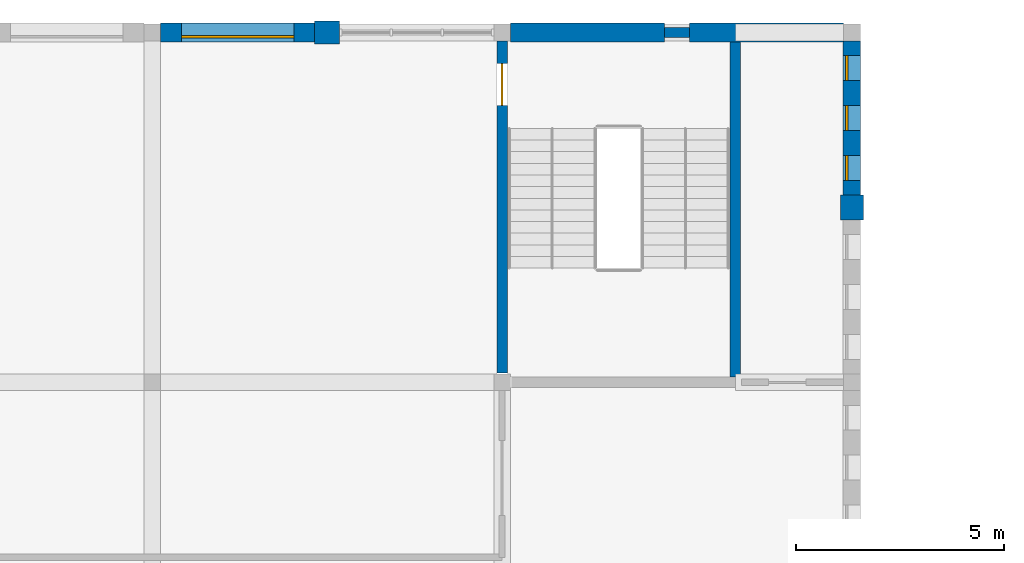
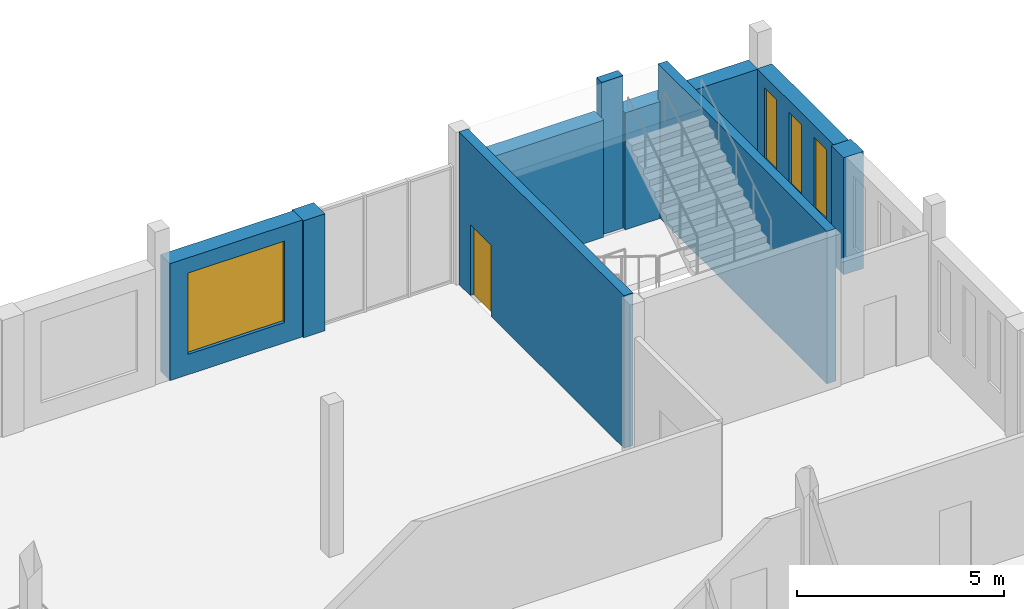
# One storey, part 31 of 38: 9 walls, 4 windows, 1 door, 5 openings.
"""IFC4 building model written with IfcOpenShell, lengths in metres."""

from ifc_helpers import new_model, si_unit, direction, frame, frame_2d, origin, place, context, subcontext, project, spatial, rectangle, extrude, material, layer, layer_set, type_object, element, fill, save


model = new_model("IFC4")

# Units and contexts
model_context = context("Model", 3, precision=1e-05, world=origin(), true_north=direction((0.0, 1.0)))
body_context = subcontext(model_context, "Body", "Model", "MODEL_VIEW")
ifc_project = project(units=[si_unit("LENGTHUNIT", "METRE"), si_unit("AREAUNIT", "SQUARE_METRE"), si_unit("VOLUMEUNIT", "CUBIC_METRE"), si_unit("PLANEANGLEUNIT", "RADIAN"), si_unit("MASSUNIT", "GRAM", prefix="KILO")], contexts=[model_context])

# Site, building, storey
site_placement = place(None, origin())
site = spatial("IfcSite", under=ifc_project, at=site_placement, CompositionType="ELEMENT")
building_placement = place(site_placement, origin())
building = spatial("IfcBuilding", under=site, at=building_placement, Name="Fescue Hill Polytechnic", CompositionType="ELEMENT")
storey_placement = place(building_placement, frame((0.0, 0.0, 18.0)))
storey = spatial("IfcBuildingStorey", under=building, at=storey_placement, Name="L04", CompositionType="ELEMENT", Elevation=18.0)

# Walls
ifc_material_1 = material(Name="Clay brick masonry", Category="masonry")
ifc_layer_1 = layer(ifc_material_1, 0.550048828125)
ifc_layer_set_1 = layer_set([ifc_layer_1], Name="Clay brick masonry")
wall_type_1 = type_object("IfcWallType", Name="Brick pier 600x550", PredefinedType="SOLIDWALL", material=ifc_layer_set_1)
for number, where, z_axis, x_axis, name in (
    (1, (117.60009765625, 129.89990234375, 0.0), (0.0, 0.0, 1.0), (0.0, 1.0, 0.0), "PR-L04-V4b-10"),
    (2, (105.300048828125, 134.39990234375, 0.0), (0.0, 0.0, 1.0), (-1.0, 0.0, 0.0), "PR-L04-V4b-12"),
):
    element("IfcWall", number, at=place(storey_placement, frame(where, z_axis=z_axis, x_axis=x_axis)), inside=storey, type_object=wall_type_1, Name=name, PredefinedType="SOLIDWALL", context=body_context, shape_type="SweptSolid", body=[
        extrude(rectangle(XDim=0.60009765625, YDim=0.550048828125, at=frame_2d((0.300048828125, 0.0))), origin(), (0.0, 0.0, 1.0), 3.449951171875),
    ])

# Wall, opening, door
ifc_material_2 = material(Name="Concrete 40 MPa", Category="concrete")
ifc_layer_2 = layer(ifc_material_2, 0.25)
ifc_layer_set_2 = layer_set([ifc_layer_2], Name="Concrete 40 MPa")
wall_type_2 = type_object("IfcWallType", Name="Core wall 250", PredefinedType="SHEAR", material=ifc_layer_set_2)
wall_1_placement = place(storey_placement, frame((109.199951171875, 126.22509765625, 0.0), z_axis=(0.0, 0.0, 1.0), x_axis=(0.0, 1.0, 0.0)))
wall_1 = element("IfcWall", 3, at=wall_1_placement, inside=storey, type_object=wall_type_2, Name="CW-L04-ST-V4b-2-31", PredefinedType="SHEAR", context=body_context, shape_type="SweptSolid", body=[
    extrude(rectangle(XDim=7.974853515625, YDim=0.25, at=frame_2d((3.9873046875, 0.0))), origin(), (0.0, 0.0, 1.0), 4.5),
])
opening_1_placement = place(wall_1_placement, frame((6.425048828125, 0.0, 0.0)))
opening_1 = element("IfcOpeningElement", 4, at=opening_1_placement, cuts=wall_1, Name="Opening D4044", PredefinedType="OPENING", context=body_context, shape_type="SweptSolid", body=[
    extrude(rectangle(XDim=1.0, YDim=2.10009765625, at=frame_2d((0.5, 1.050048828125))), frame((0.0, 0.135009765625, 0.0), z_axis=(0.0, -1.0, 0.0), x_axis=(1.0, 0.0, 0.0)), (0.0, 0.0, 1.0), 0.27001953125),
])
ifc_material_3 = material(Name="Steel fire door", Category="steel")
door_type = type_object("IfcDoorType", Name="Door single swing 1000x2100 stair fire rated", OperationType="NOTDEFINED", PredefinedType="DOOR", material=ifc_material_3)
door_placement = place(opening_1_placement, origin())
door = element("IfcDoor", 5, at=door_placement, inside=storey, type_object=door_type, Name="L04 ST-V4b-2 stair door", OperationType="SINGLE_SWING_RIGHT", OverallHeight=2.10009765625, OverallWidth=1.0, PredefinedType="DOOR", context=body_context, shape_type="SweptSolid", body=[
    extrude(rectangle(XDim=1.0, YDim=2.10009765625, at=frame_2d((0.5, 1.050048828125))), frame((0.0, 0.02490234375, 0.0), z_axis=(0.0, -1.0, 0.0), x_axis=(1.0, 0.0, 0.0)), (0.0, 0.0, 1.0), 0.050048828125),
])
fill(opening_1, door)

# Walls
wall_2_placement = place(storey_placement, frame((114.800048828125, 126.125, 0.0), z_axis=(0.0, 0.0, 1.0), x_axis=(0.0, 1.0, 0.0)))
element("IfcWall", 6, at=wall_2_placement, inside=storey, type_object=wall_type_2, Name="CW-L04-ST-V4b-2-41", PredefinedType="SHEAR", context=body_context, shape_type="SweptSolid", body=[
    extrude(rectangle(XDim=8.14990234375, YDim=0.25, at=frame_2d((4.074951171875, 0.0))), origin(), (0.0, 0.0, 1.0), 4.5),
])
wall_3_placement = place(storey_placement, frame((113.10009765625, 134.39990234375, 0.0), z_axis=(0.0, 0.0, 1.0), x_axis=(1.0, 0.0, 0.0)))
element("IfcWall", 7, at=wall_3_placement, inside=storey, type_object=wall_type_2, Name="SCW-L04-ST-V4b-2-n1", PredefinedType="SHEAR", context=body_context, shape_type="SweptSolid", body=[
    extrude(rectangle(XDim=0.599853515625, YDim=0.25, at=frame_2d((0.2998046875, 0.0))), origin(), (0.0, 0.0, 1.0), 4.5),
])

# Wall, opening, window
ifc_layer_3 = layer(ifc_material_2, 0.449951171875)
ifc_layer_set_3 = layer_set([ifc_layer_3], Name="Concrete 40 MPa")
wall_type_3 = type_object("IfcWallType", Name="Exterior wall board-marked concrete 450", PredefinedType="SOLIDWALL", material=ifc_layer_set_3)
wall_4_placement = place(storey_placement, frame((104.699951171875, 134.39990234375, 0.0), z_axis=(0.0, 0.0, 1.0), x_axis=(-1.0, 0.0, 0.0)))
wall_4 = element("IfcWall", 8, at=wall_4_placement, inside=storey, type_object=wall_type_3, Name="EW-L04-V4b-24", PredefinedType="SOLIDWALL", context=body_context, shape_type="SweptSolid", body=[
    extrude(rectangle(XDim=3.699951171875, YDim=0.449951171875, at=frame_2d((1.85009765625, 0.0))), origin(), (0.0, 0.0, 1.0), 3.449951171875),
])
opening_2_placement = place(wall_4_placement, frame((0.5, 0.0, 0.60009765625)))
opening_2 = element("IfcOpeningElement", 9, at=opening_2_placement, cuts=wall_4, Name="Opening W16R", PredefinedType="OPENING", context=body_context, shape_type="SweptSolid", body=[
    extrude(rectangle(XDim=2.699951171875, YDim=2.39990234375, at=frame_2d((1.35009765625, 1.199951171875))), frame((0.0, 0.23486328125, 0.0), z_axis=(0.0, -1.0, 0.0), x_axis=(1.0, 0.0, 0.0)), (0.0, 0.0, 1.0), 0.469970703125),
])
ifc_material_4 = material(Name="Powder-coated aluminium and glass", Category="aluminium")
window_type_1 = type_object("IfcWindowType", Name="Window studio north-light 2700x2400", PartitioningType="TRIPLE_PANEL_VERTICAL", PredefinedType="WINDOW", material=ifc_material_4)
window_1_placement = place(opening_2_placement, origin())
window_1 = element("IfcWindow", 10, at=window_1_placement, inside=storey, type_object=window_type_1, Name="WN-L04-V4b-26", OverallHeight=2.39990234375, OverallWidth=2.699951171875, PartitioningType="SINGLE_PANEL", PredefinedType="WINDOW", context=body_context, shape_type="SweptSolid", body=[
    extrude(rectangle(XDim=2.699951171875, YDim=2.39990234375, at=frame_2d((1.35009765625, 1.199951171875))), frame((0.0, 0.135009765625, 0.0), z_axis=(0.0, -1.0, 0.0), x_axis=(1.0, 0.0, 0.0)), (0.0, 0.0, 1.0), 0.06005859375),
])
fill(opening_2, window_1)

# Walls
ifc_layer_4 = layer(ifc_material_2, 0.449951171875)
ifc_layer_set_4 = layer_set([ifc_layer_4], Name="Concrete 40 MPa")
wall_type_4 = type_object("IfcWallType", Name="Exterior wall board-marked concrete 450 load-bearing", PredefinedType="SOLIDWALL", material=ifc_layer_set_4)
wall_5_placement = place(storey_placement, frame((117.39990234375, 134.39990234375, 0.0), z_axis=(0.0, 0.0, 1.0), x_axis=(-1.0, 0.0, 0.0)))
element("IfcWall", 11, at=wall_5_placement, inside=storey, type_object=wall_type_4, Name="EW-L04-V4b-21", PredefinedType="SOLIDWALL", context=body_context, shape_type="SweptSolid", body=[
    extrude(rectangle(XDim=3.699951171875, YDim=0.449951171875, at=frame_2d((1.85009765625, 0.0))), origin(), (0.0, 0.0, 1.0), 3.449951171875),
])
wall_6_placement = place(storey_placement, frame((113.10009765625, 134.39990234375, 0.0), z_axis=(0.0, 0.0, 1.0), x_axis=(-1.0, 0.0, 0.0)))
element("IfcWall", 12, at=wall_6_placement, inside=storey, type_object=wall_type_4, Name="EW-L04-V4b-22", PredefinedType="SOLIDWALL", context=body_context, shape_type="SweptSolid", body=[
    extrude(rectangle(XDim=3.7001953125, YDim=0.449951171875, at=frame_2d((1.85009765625, 0.0))), origin(), (0.0, 0.0, 1.0), 3.449951171875),
])

# Wall, openings, windows
ifc_layer_5 = layer(ifc_material_1, 0.419921875)
ifc_layer_set_5 = layer_set([ifc_layer_5], Name="Clay brick masonry")
wall_type_5 = type_object("IfcWallType", Name="Exterior wall buff-red brick cavity 420", PredefinedType="SOLIDWALL", material=ifc_layer_set_5)
wall_7_placement = place(storey_placement, frame((117.60009765625, 130.5, 0.0), z_axis=(0.0, 0.0, 1.0), x_axis=(0.0, 1.0, 0.0)))
wall_7 = element("IfcWall", 13, at=wall_7_placement, inside=storey, type_object=wall_type_5, Name="EW-L04-V4b-20", PredefinedType="SOLIDWALL", context=body_context, shape_type="SweptSolid", body=[
    extrude(rectangle(XDim=3.699951171875, YDim=0.419921875, at=frame_2d((1.85009765625, 0.0))), origin(), (0.0, 0.0, 1.0), 3.449951171875),
])
opening_3_placement = place(wall_7_placement, frame((0.35009765625, 0.0, 1.0)))
opening_3 = element("IfcOpeningElement", 14, at=opening_3_placement, cuts=wall_7, Name="Opening W6", PredefinedType="OPENING", context=body_context, shape_type="SweptSolid", body=[
    extrude(rectangle(XDim=0.60009765625, YDim=2.10009765625, at=frame_2d((0.300048828125, 1.050048828125))), frame((0.0, 0.219970703125, 0.0), z_axis=(0.0, -1.0, 0.0), x_axis=(1.0, 0.0, 0.0)), (0.0, 0.0, 1.0), 0.43994140625),
])
opening_4_placement = place(wall_7_placement, frame((1.550048828125, 0.0, 1.0)))
opening_4 = element("IfcOpeningElement", 15, at=opening_4_placement, cuts=wall_7, Name="Opening W6", PredefinedType="OPENING", context=body_context, shape_type="SweptSolid", body=[
    extrude(rectangle(XDim=0.60009765625, YDim=2.10009765625, at=frame_2d((0.300048828125, 1.050048828125))), frame((0.0, 0.219970703125, 0.0), z_axis=(0.0, -1.0, 0.0), x_axis=(1.0, 0.0, 0.0)), (0.0, 0.0, 1.0), 0.43994140625),
])
opening_5_placement = place(wall_7_placement, frame((2.75, 0.0, 1.0)))
opening_5 = element("IfcOpeningElement", 16, at=opening_5_placement, cuts=wall_7, Name="Opening W6", PredefinedType="OPENING", context=body_context, shape_type="SweptSolid", body=[
    extrude(rectangle(XDim=0.60009765625, YDim=2.10009765625, at=frame_2d((0.300048828125, 1.050048828125))), frame((0.0, 0.219970703125, 0.0), z_axis=(0.0, -1.0, 0.0), x_axis=(1.0, 0.0, 0.0)), (0.0, 0.0, 1.0), 0.43994140625),
])
window_type_2 = type_object("IfcWindowType", Name="Window slot 600x2100", PartitioningType="SINGLE_PANEL", PredefinedType="WINDOW", material=ifc_material_4)
window_2_placement = place(opening_3_placement, origin())
window_2 = element("IfcWindow", 17, at=window_2_placement, inside=storey, type_object=window_type_2, Name="WN-L04-V4b-23", OverallHeight=2.10009765625, OverallWidth=0.60009765625, PartitioningType="SINGLE_PANEL", PredefinedType="WINDOW", context=body_context, shape_type="SweptSolid", body=[
    extrude(rectangle(XDim=0.60009765625, YDim=2.10009765625, at=frame_2d((0.300048828125, 1.050048828125))), frame((0.0, 0.150146484375, 0.0), z_axis=(0.0, -1.0, 0.0), x_axis=(1.0, 0.0, 0.0)), (0.0, 0.0, 1.0), 0.06005859375),
])
fill(opening_3, window_2)
window_3_placement = place(opening_4_placement, origin())
window_3 = element("IfcWindow", 18, at=window_3_placement, inside=storey, type_object=window_type_2, Name="WN-L04-V4b-24", OverallHeight=2.10009765625, OverallWidth=0.60009765625, PartitioningType="SINGLE_PANEL", PredefinedType="WINDOW", context=body_context, shape_type="SweptSolid", body=[
    extrude(rectangle(XDim=0.60009765625, YDim=2.10009765625, at=frame_2d((0.300048828125, 1.050048828125))), frame((0.0, 0.150146484375, 0.0), z_axis=(0.0, -1.0, 0.0), x_axis=(1.0, 0.0, 0.0)), (0.0, 0.0, 1.0), 0.06005859375),
])
fill(opening_4, window_3)
window_4_placement = place(opening_5_placement, origin())
window_4 = element("IfcWindow", 19, at=window_4_placement, inside=storey, type_object=window_type_2, Name="WN-L04-V4b-25", OverallHeight=2.10009765625, OverallWidth=0.60009765625, PartitioningType="SINGLE_PANEL", PredefinedType="WINDOW", context=body_context, shape_type="SweptSolid", body=[
    extrude(rectangle(XDim=0.60009765625, YDim=2.10009765625, at=frame_2d((0.300048828125, 1.050048828125))), frame((0.0, 0.150146484375, 0.0), z_axis=(0.0, -1.0, 0.0), x_axis=(1.0, 0.0, 0.0)), (0.0, 0.0, 1.0), 0.06005859375),
])
fill(opening_5, window_4)

save(model, "model.ifc")
